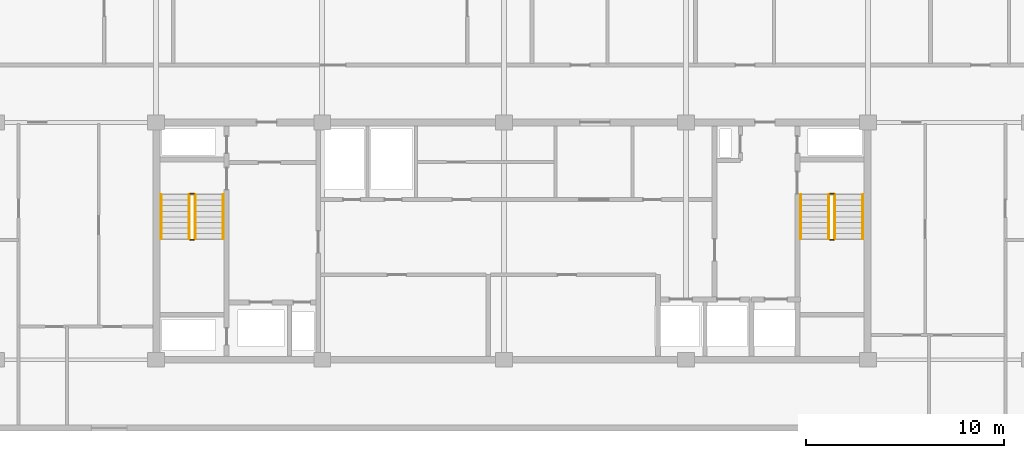
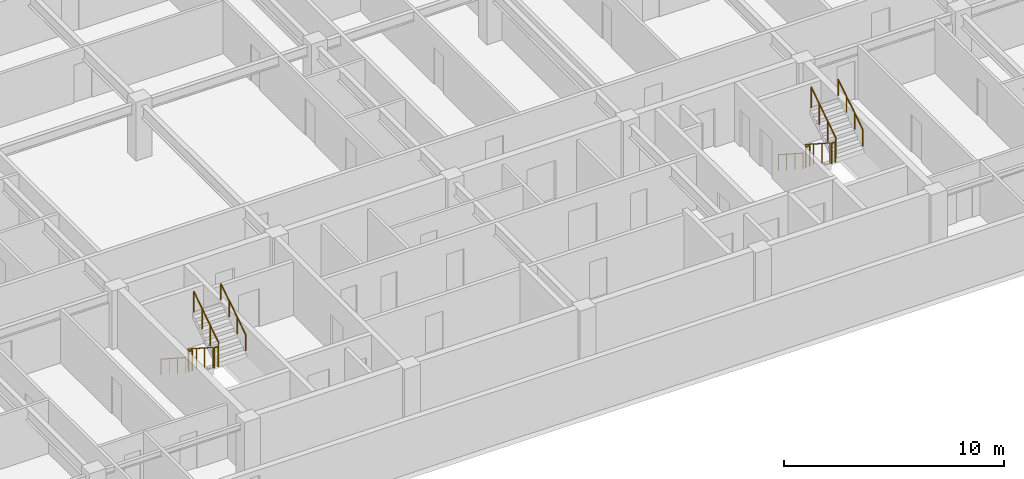
# One storey, part 20 of 21: 12 railings.
"""IFC4 building model written with IfcOpenShell, lengths in metres."""

from ifc_helpers import new_model, si_unit, direction, frame, origin, origin_2d, place, context, subcontext, project, spatial, circle, extrude, material, type_object, element, save


model = new_model("IFC4")

# Units and contexts
model_context = context("Model", 3, precision=1e-05, world=origin(), true_north=direction((0.0, 1.0)))
body_context = subcontext(model_context, "Body", "Model", "MODEL_VIEW")
ifc_project = project(units=[si_unit("LENGTHUNIT", "METRE"), si_unit("AREAUNIT", "SQUARE_METRE"), si_unit("VOLUMEUNIT", "CUBIC_METRE"), si_unit("PLANEANGLEUNIT", "RADIAN"), si_unit("MASSUNIT", "GRAM", prefix="KILO")], contexts=[model_context])

# Site, building, storey
site_placement = place(None, origin())
site = spatial("IfcSite", under=ifc_project, at=site_placement, CompositionType="ELEMENT")
building_placement = place(site_placement, origin())
building = spatial("IfcBuilding", under=site, at=building_placement, Name="Korimba Cascade Residences", CompositionType="ELEMENT")
storey_placement = place(building_placement, frame((0.0, 0.0, 184.85009765625)))
storey = spatial("IfcBuildingStorey", under=building, at=storey_placement, Name="L53", CompositionType="ELEMENT", Elevation=184.85009765625)

# Railings
ifc_material_1 = material(Name="Painted Steel Stairwell Guardrail", Category="steel")
railing_type_1 = type_object("IfcRailingType", Name="RLG-ST-GD1150", PredefinedType="GUARDRAIL", material=ifc_material_1)
railing_1_placement = place(storey_placement, frame((77.77001953125, 63.550048828125, 0.180419921875)))
element("IfcRailing", 1, at=railing_1_placement, inside=storey, type_object=railing_type_1, Name="L53 ST-W1 stair guard 1", PredefinedType="GUARDRAIL", context=body_context, shape_type="SweptSolid", body=[
    extrude(circle(Radius=0.02392578125, at=origin_2d()), frame((0.0, 0.0, 1.1259765625), z_axis=(0.0, -0.840394893359, 0.541974559565), x_axis=(1.0, 0.0, 0.0)), (0.0, 0.0, 1.0), 2.665283203125),
    extrude(circle(Radius=0.02099609375, at=origin_2d()), origin(), (0.0, 0.0, 1.0), 1.101806640625),
    extrude(circle(Radius=0.02099609375, at=origin_2d()), frame((0.0, -0.74658203125, 0.4814453125)), (0.0, 0.0, 1.0), 1.101806640625),
    extrude(circle(Radius=0.02099609375, at=origin_2d()), frame((0.0, -1.493408203125, 0.963134765625)), (0.0, 0.0, 1.0), 1.101806640625),
    extrude(circle(Radius=0.02099609375, at=origin_2d()), frame((0.0, -2.239990234375, 1.444580078125)), (0.0, 0.0, 1.0), 1.101806640625),
])
railing_2_placement = place(storey_placement, frame((77.820068359375, 61.260009765625, 1.625)))
element("IfcRailing", 2, at=railing_2_placement, inside=storey, type_object=railing_type_1, Name="L53 ST-W1 stair guard 2", PredefinedType="GUARDRAIL", context=body_context, shape_type="SweptSolid", body=[
    extrude(circle(Radius=0.02392578125, at=origin_2d()), frame((0.0, 0.0, 1.1259765625), z_axis=(1.0, 0.0, 0.0), x_axis=(0.0, 1.0, 0.0)), (0.0, 0.0, 1.0), 0.199951171875),
    extrude(circle(Radius=0.02099609375, at=origin_2d()), origin(), (0.0, 0.0, 1.0), 1.101806640625),
    extrude(circle(Radius=0.02099609375, at=origin_2d()), frame((0.199951171875, 0.0, 0.0)), (0.0, 0.0, 1.0), 1.101806640625),
])
railing_3_placement = place(storey_placement, frame((78.070068359375, 61.31005859375, 1.805419921875)))
element("IfcRailing", 3, at=railing_3_placement, inside=storey, type_object=railing_type_1, Name="L53 ST-W1 stair guard 3", PredefinedType="GUARDRAIL", context=body_context, shape_type="SweptSolid", body=[
    extrude(circle(Radius=0.02392578125, at=origin_2d()), frame((0.0, 0.0, 1.1259765625), z_axis=(0.0, 0.840394893359, 0.541974559565), x_axis=(-1.0, 0.0, 0.0)), (0.0, 0.0, 1.0), 2.665283203125),
    extrude(circle(Radius=0.02099609375, at=origin_2d()), origin(), (0.0, 0.0, 1.0), 1.101806640625),
    extrude(circle(Radius=0.02099609375, at=origin_2d()), frame((0.0, 0.74658203125, 0.4814453125)), (0.0, 0.0, 1.0), 1.101806640625),
    extrude(circle(Radius=0.02099609375, at=origin_2d()), frame((0.0, 1.493408203125, 0.963134765625)), (0.0, 0.0, 1.0), 1.101806640625),
    extrude(circle(Radius=0.02099609375, at=origin_2d()), frame((0.0, 2.239990234375, 1.444580078125)), (0.0, 0.0, 1.0), 1.101806640625),
])
railing_4_placement = place(storey_placement, frame((77.820068359375, 63.60009765625, 0.0)))
element("IfcRailing", 4, at=railing_4_placement, inside=storey, type_object=railing_type_1, Name="L53 ST-W1 stair guard 4", PredefinedType="GUARDRAIL", context=body_context, shape_type="SweptSolid", body=[
    extrude(circle(Radius=0.02392578125, at=origin_2d()), frame((0.0, 0.0, 1.1259765625), z_axis=(1.0, 0.0, 0.0), x_axis=(0.0, 1.0, 0.0)), (0.0, 0.0, 1.0), 0.199951171875),
    extrude(circle(Radius=0.02099609375, at=origin_2d()), origin(), (0.0, 0.0, 1.0), 1.101806640625),
    extrude(circle(Radius=0.02099609375, at=origin_2d()), frame((0.199951171875, 0.0, 0.0)), (0.0, 0.0, 1.0), 1.101806640625),
])
railing_5_placement = place(storey_placement, frame((110.1298828125, 63.550048828125, 0.180419921875)))
element("IfcRailing", 5, at=railing_5_placement, inside=storey, type_object=railing_type_1, Name="L53 ST-W2 stair guard 1", PredefinedType="GUARDRAIL", context=body_context, shape_type="SweptSolid", body=[
    extrude(circle(Radius=0.02392578125, at=origin_2d()), frame((0.0, 0.0, 1.1259765625), z_axis=(0.0, -0.840394893359, 0.541974559565), x_axis=(1.0, 0.0, 0.0)), (0.0, 0.0, 1.0), 2.665283203125),
    extrude(circle(Radius=0.02099609375, at=origin_2d()), origin(), (0.0, 0.0, 1.0), 1.101806640625),
    extrude(circle(Radius=0.02099609375, at=origin_2d()), frame((0.0, -0.74658203125, 0.4814453125)), (0.0, 0.0, 1.0), 1.101806640625),
    extrude(circle(Radius=0.02099609375, at=origin_2d()), frame((0.0, -1.493408203125, 0.963134765625)), (0.0, 0.0, 1.0), 1.101806640625),
    extrude(circle(Radius=0.02099609375, at=origin_2d()), frame((0.0, -2.239990234375, 1.444580078125)), (0.0, 0.0, 1.0), 1.101806640625),
])
railing_6_placement = place(storey_placement, frame((110.179931640625, 61.260009765625, 1.625)))
element("IfcRailing", 6, at=railing_6_placement, inside=storey, type_object=railing_type_1, Name="L53 ST-W2 stair guard 2", PredefinedType="GUARDRAIL", context=body_context, shape_type="SweptSolid", body=[
    extrude(circle(Radius=0.02392578125, at=origin_2d()), frame((0.0, 0.0, 1.1259765625), z_axis=(1.0, 0.0, 0.0), x_axis=(0.0, 1.0, 0.0)), (0.0, 0.0, 1.0), 0.199951171875),
    extrude(circle(Radius=0.02099609375, at=origin_2d()), origin(), (0.0, 0.0, 1.0), 1.101806640625),
    extrude(circle(Radius=0.02099609375, at=origin_2d()), frame((0.199951171875, 0.0, 0.0)), (0.0, 0.0, 1.0), 1.101806640625),
])
railing_7_placement = place(storey_placement, frame((110.429931640625, 61.31005859375, 1.805419921875)))
element("IfcRailing", 7, at=railing_7_placement, inside=storey, type_object=railing_type_1, Name="L53 ST-W2 stair guard 3", PredefinedType="GUARDRAIL", context=body_context, shape_type="SweptSolid", body=[
    extrude(circle(Radius=0.02392578125, at=origin_2d()), frame((0.0, 0.0, 1.1259765625), z_axis=(0.0, 0.840394893359, 0.541974559565), x_axis=(-1.0, 0.0, 0.0)), (0.0, 0.0, 1.0), 2.665283203125),
    extrude(circle(Radius=0.02099609375, at=origin_2d()), origin(), (0.0, 0.0, 1.0), 1.101806640625),
    extrude(circle(Radius=0.02099609375, at=origin_2d()), frame((0.0, 0.74658203125, 0.4814453125)), (0.0, 0.0, 1.0), 1.101806640625),
    extrude(circle(Radius=0.02099609375, at=origin_2d()), frame((0.0, 1.493408203125, 0.963134765625)), (0.0, 0.0, 1.0), 1.101806640625),
    extrude(circle(Radius=0.02099609375, at=origin_2d()), frame((0.0, 2.239990234375, 1.444580078125)), (0.0, 0.0, 1.0), 1.101806640625),
])
railing_8_placement = place(storey_placement, frame((110.179931640625, 63.60009765625, 0.0)))
element("IfcRailing", 8, at=railing_8_placement, inside=storey, type_object=railing_type_1, Name="L53 ST-W2 stair guard 4", PredefinedType="GUARDRAIL", context=body_context, shape_type="SweptSolid", body=[
    extrude(circle(Radius=0.02392578125, at=origin_2d()), frame((0.0, 0.0, 1.1259765625), z_axis=(1.0, 0.0, 0.0), x_axis=(0.0, 1.0, 0.0)), (0.0, 0.0, 1.0), 0.199951171875),
    extrude(circle(Radius=0.02099609375, at=origin_2d()), origin(), (0.0, 0.0, 1.0), 1.101806640625),
    extrude(circle(Radius=0.02099609375, at=origin_2d()), frame((0.199951171875, 0.0, 0.0)), (0.0, 0.0, 1.0), 1.101806640625),
])
ifc_material_2 = material(Name="Brushed Stainless Steel Handrail", Category="steel")
railing_type_2 = type_object("IfcRailingType", Name="RLG-ST-HR900", PredefinedType="HANDRAIL", material=ifc_material_2)
railing_9_placement = place(storey_placement, frame((76.35009765625, 63.550048828125, 0.36474609375)))
element("IfcRailing", 9, at=railing_9_placement, inside=storey, type_object=railing_type_2, Name="L53 ST-W1 stair handrail 1", PredefinedType="HANDRAIL", context=body_context, shape_type="SweptSolid", body=[
    extrude(circle(Radius=0.02392578125, at=origin_2d()), frame((0.0, 0.0, 0.8759765625), z_axis=(0.0, -0.840394893359, 0.541974559565), x_axis=(1.0, 0.0, 0.0)), (0.0, 0.0, 1.0), 2.665283203125),
    extrude(circle(Radius=0.02099609375, at=origin_2d()), origin(), (0.0, 0.0, 1.0), 0.851806640625),
    extrude(circle(Radius=0.02099609375, at=origin_2d()), frame((0.0, -0.74658203125, 0.4814453125)), (0.0, 0.0, 1.0), 0.851806640625),
    extrude(circle(Radius=0.02099609375, at=origin_2d()), frame((0.0, -1.493408203125, 0.963134765625)), (0.0, 0.0, 1.0), 0.851806640625),
    extrude(circle(Radius=0.02099609375, at=origin_2d()), frame((0.0, -2.239990234375, 1.444580078125)), (0.0, 0.0, 1.0), 0.851806640625),
])
railing_10_placement = place(storey_placement, frame((79.489990234375, 61.31005859375, 1.98974609375)))
element("IfcRailing", 10, at=railing_10_placement, inside=storey, type_object=railing_type_2, Name="L53 ST-W1 stair handrail 2", PredefinedType="HANDRAIL", context=body_context, shape_type="SweptSolid", body=[
    extrude(circle(Radius=0.02392578125, at=origin_2d()), frame((0.0, 0.0, 0.8759765625), z_axis=(0.0, 0.840394893359, 0.541974559565), x_axis=(-1.0, 0.0, 0.0)), (0.0, 0.0, 1.0), 2.665283203125),
    extrude(circle(Radius=0.02099609375, at=origin_2d()), origin(), (0.0, 0.0, 1.0), 0.851806640625),
    extrude(circle(Radius=0.02099609375, at=origin_2d()), frame((0.0, 0.74658203125, 0.4814453125)), (0.0, 0.0, 1.0), 0.851806640625),
    extrude(circle(Radius=0.02099609375, at=origin_2d()), frame((0.0, 1.493408203125, 0.963134765625)), (0.0, 0.0, 1.0), 0.851806640625),
    extrude(circle(Radius=0.02099609375, at=origin_2d()), frame((0.0, 2.239990234375, 1.444580078125)), (0.0, 0.0, 1.0), 0.851806640625),
])
railing_11_placement = place(storey_placement, frame((108.7099609375, 63.550048828125, 0.36474609375)))
element("IfcRailing", 11, at=railing_11_placement, inside=storey, type_object=railing_type_2, Name="L53 ST-W2 stair handrail 1", PredefinedType="HANDRAIL", context=body_context, shape_type="SweptSolid", body=[
    extrude(circle(Radius=0.02392578125, at=origin_2d()), frame((0.0, 0.0, 0.8759765625), z_axis=(0.0, -0.840394893359, 0.541974559565), x_axis=(1.0, 0.0, 0.0)), (0.0, 0.0, 1.0), 2.665283203125),
    extrude(circle(Radius=0.02099609375, at=origin_2d()), origin(), (0.0, 0.0, 1.0), 0.851806640625),
    extrude(circle(Radius=0.02099609375, at=origin_2d()), frame((0.0, -0.74658203125, 0.4814453125)), (0.0, 0.0, 1.0), 0.851806640625),
    extrude(circle(Radius=0.02099609375, at=origin_2d()), frame((0.0, -1.493408203125, 0.963134765625)), (0.0, 0.0, 1.0), 0.851806640625),
    extrude(circle(Radius=0.02099609375, at=origin_2d()), frame((0.0, -2.239990234375, 1.444580078125)), (0.0, 0.0, 1.0), 0.851806640625),
])
railing_12_placement = place(storey_placement, frame((111.85009765625, 61.31005859375, 1.98974609375)))
element("IfcRailing", 12, at=railing_12_placement, inside=storey, type_object=railing_type_2, Name="L53 ST-W2 stair handrail 2", PredefinedType="HANDRAIL", context=body_context, shape_type="SweptSolid", body=[
    extrude(circle(Radius=0.02392578125, at=origin_2d()), frame((0.0, 0.0, 0.8759765625), z_axis=(0.0, 0.840394893359, 0.541974559565), x_axis=(-1.0, 0.0, 0.0)), (0.0, 0.0, 1.0), 2.665283203125),
    extrude(circle(Radius=0.02099609375, at=origin_2d()), origin(), (0.0, 0.0, 1.0), 0.851806640625),
    extrude(circle(Radius=0.02099609375, at=origin_2d()), frame((0.0, 0.74658203125, 0.4814453125)), (0.0, 0.0, 1.0), 0.851806640625),
    extrude(circle(Radius=0.02099609375, at=origin_2d()), frame((0.0, 1.493408203125, 0.963134765625)), (0.0, 0.0, 1.0), 0.851806640625),
    extrude(circle(Radius=0.02099609375, at=origin_2d()), frame((0.0, 2.239990234375, 1.444580078125)), (0.0, 0.0, 1.0), 0.851806640625),
])

save(model, "model.ifc")
